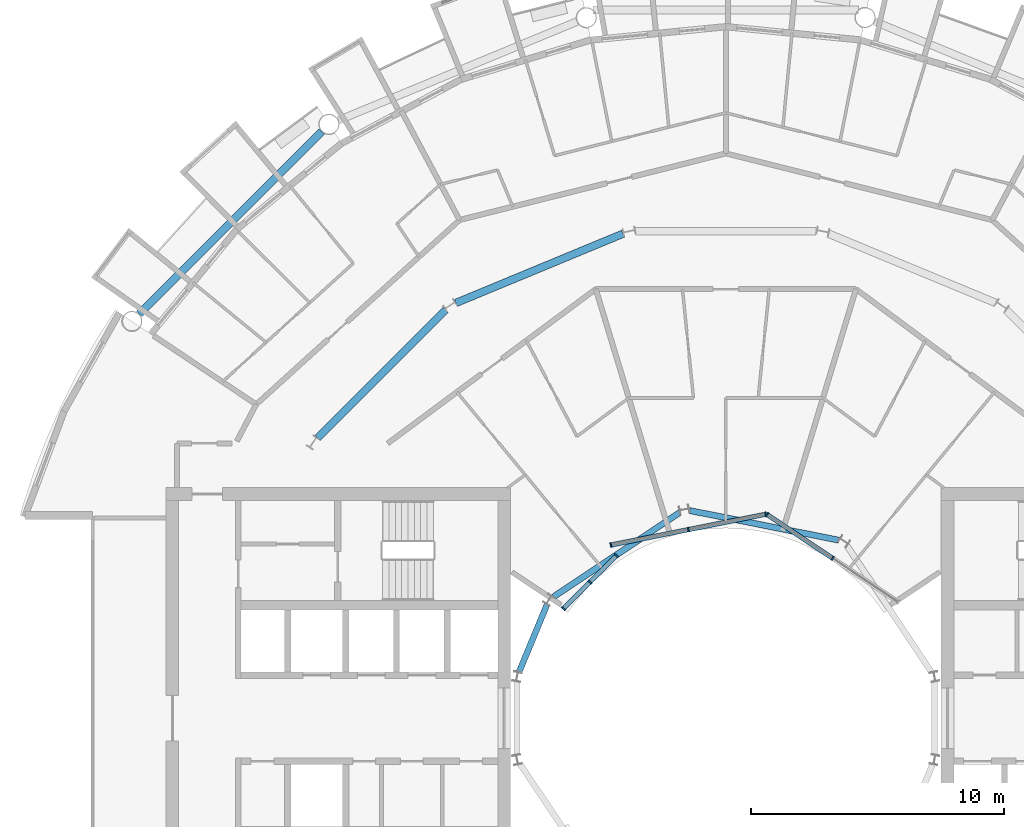
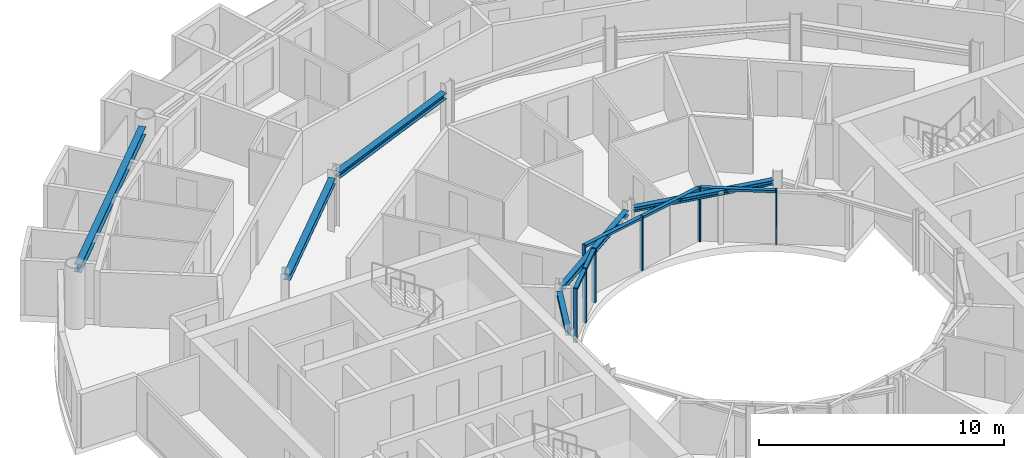
# One storey, part 8 of 26: 13 members, 6 beams, 3 elements without a shape of their own.
"""IFC4 building model written with IfcOpenShell, lengths in metres."""

from ifc_helpers import new_model, si_unit, direction, frame, origin, origin_2d, place, context, subcontext, project, spatial, rectangle, i_section, extrude, material, layer, layer_set, material_profile, profile_set, type_object, element, aggregate, save


model = new_model("IFC4")

# Units and contexts
model_context = context("Model", 3, precision=1e-05, world=origin(), true_north=direction((0.0, 1.0)))
body_context = subcontext(model_context, "Body", "Model", "MODEL_VIEW")
ifc_project = project(units=[si_unit("LENGTHUNIT", "METRE"), si_unit("AREAUNIT", "SQUARE_METRE"), si_unit("VOLUMEUNIT", "CUBIC_METRE"), si_unit("PLANEANGLEUNIT", "RADIAN"), si_unit("MASSUNIT", "GRAM", prefix="KILO")], contexts=[model_context])

# Site, building, storey
site_placement = place(None, origin())
site = spatial("IfcSite", under=ifc_project, at=site_placement, CompositionType="ELEMENT")
building_placement = place(site_placement, origin())
building = spatial("IfcBuilding", under=site, at=building_placement, Name="Maasbend Ring Residences", CompositionType="ELEMENT")
storey_placement = place(building_placement, frame((0.0, 0.0, 154.35009765625)))
storey = spatial("IfcBuildingStorey", under=building, at=storey_placement, Name="L44", CompositionType="ELEMENT", Elevation=154.35009765625)

# Curtain wall, members
ifc_material_1 = material(Name="Aluminium and clear glass", Category="aluminium")
ifc_layer = layer(ifc_material_1, 0.179931640625)
ifc_layer_set = layer_set([ifc_layer], Name="CW-W")
curtain_wall_type = type_object("IfcCurtainWallType", Name="CW-W", PredefinedType="NOTDEFINED", material=ifc_layer_set)
curtain_wall_1_placement = place(storey_placement, origin())
curtain_wall_1 = element("IfcCurtainWall", 1, at=curtain_wall_1_placement, inside=storey, type_object=curtain_wall_type, Name="Well curtain wall N1", PredefinedType="NOTDEFINED")
ifc_material_2 = material(Name="Aluminium 6063-T6", Category="aluminium")
ifc_material_profile_1 = material_profile(ifc_material_2, rectangle(XDim=0.179931640625, YDim=0.06005859375, at=origin_2d()), Name="AL 180x60")
ifc_profile_set_1 = profile_set([ifc_material_profile_1], Name="Aluminium 6063-T6")
member_type_1 = type_object("IfcMemberType", Name="CWM-W", PredefinedType="MULLION", material=ifc_profile_set_1)
member_1_placement = place(storey_placement, frame((4.216796875, 6.310791015625, 0.0), z_axis=(0.0, 0.0, 1.0), x_axis=(-0.55557023302, -0.831469612303, 0.0)))
member_1 = element("IfcMember", 2, at=member_1_placement, type_object=member_type_1, Name="Mullion well face", PredefinedType="MULLION", context=body_context, shape_type="SweptSolid", body=[
    extrude(rectangle(XDim=0.179931640625, YDim=0.06005859375, at=origin_2d()), origin(), (0.0, 0.0, 1.0), 2.699951171875),
])
member_2_placement = place(storey_placement, frame((1.627685546875, 8.040771484375, 0.0), z_axis=(0.0, 0.0, 1.0), x_axis=(-0.55557023302, -0.831469612303, 0.0)))
member_2 = element("IfcMember", 3, at=member_2_placement, type_object=member_type_1, Name="Mullion well face", PredefinedType="MULLION", context=body_context, shape_type="SweptSolid", body=[
    extrude(rectangle(XDim=0.179931640625, YDim=0.06005859375, at=origin_2d()), origin(), (0.0, 0.0, 1.0), 2.699951171875),
])

curtain_wall_2_placement = place(storey_placement, origin())
curtain_wall_2 = element("IfcCurtainWall", 4, at=curtain_wall_2_placement, inside=storey, type_object=curtain_wall_type, Name="Well curtain wall N2", PredefinedType="NOTDEFINED")
member_3_placement = place(storey_placement, frame((1.5732421875, 8.0517578125, 0.0), z_axis=(0.0, 0.0, 1.0), x_axis=(0.195090322016, -0.980785280403, 0.0)))
member_3 = element("IfcMember", 5, at=member_3_placement, type_object=member_type_1, Name="Mullion well face", PredefinedType="MULLION", context=body_context, shape_type="SweptSolid", body=[
    extrude(rectangle(XDim=0.179931640625, YDim=0.06005859375, at=origin_2d()), origin(), (0.0, 0.0, 1.0), 2.699951171875),
])
member_4_placement = place(storey_placement, frame((-1.480712890625, 7.444091796875, 0.0), z_axis=(0.0, 0.0, 1.0), x_axis=(0.195090322016, -0.980785280403, 0.0)))
member_4 = element("IfcMember", 6, at=member_4_placement, type_object=member_type_1, Name="Mullion well face", PredefinedType="MULLION", context=body_context, shape_type="SweptSolid", body=[
    extrude(rectangle(XDim=0.179931640625, YDim=0.06005859375, at=origin_2d()), origin(), (0.0, 0.0, 1.0), 2.699951171875),
])
member_5_placement = place(storey_placement, frame((-4.53466796875, 6.836669921875, 0.0), z_axis=(0.0, 0.0, 1.0), x_axis=(0.195090322016, -0.980785280403, 0.0)))
member_5 = element("IfcMember", 7, at=member_5_placement, type_object=member_type_1, Name="Mullion well face", PredefinedType="MULLION", context=body_context, shape_type="SweptSolid", body=[
    extrude(rectangle(XDim=0.179931640625, YDim=0.06005859375, at=origin_2d()), origin(), (0.0, 0.0, 1.0), 2.699951171875),
])

curtain_wall_3_placement = place(storey_placement, origin())
curtain_wall_3 = element("IfcCurtainWall", 8, at=curtain_wall_3_placement, inside=storey, type_object=curtain_wall_type, Name="Well curtain wall N3", PredefinedType="NOTDEFINED")
member_6_placement = place(storey_placement, frame((-4.320556640625, 6.413330078125, 0.0), z_axis=(0.0, 0.0, 1.0), x_axis=(0.707106781187, -0.707106781187, 0.0)))
member_6 = element("IfcMember", 9, at=member_6_placement, type_object=member_type_1, Name="Mullion well face", PredefinedType="MULLION", context=body_context, shape_type="SweptSolid", body=[
    extrude(rectangle(XDim=0.179931640625, YDim=0.06005859375, at=origin_2d()), origin(), (0.0, 0.0, 1.0), 2.699951171875),
])
member_7_placement = place(storey_placement, frame((-5.366943359375, 5.366943359375, 0.0), z_axis=(0.0, 0.0, 1.0), x_axis=(0.707106781187, -0.707106781187, 0.0)))
member_7 = element("IfcMember", 10, at=member_7_placement, type_object=member_type_1, Name="Mullion well face", PredefinedType="MULLION", context=body_context, shape_type="SweptSolid", body=[
    extrude(rectangle(XDim=0.179931640625, YDim=0.06005859375, at=origin_2d()), origin(), (0.0, 0.0, 1.0), 2.699951171875),
])
member_8_placement = place(storey_placement, frame((-6.413330078125, 4.320556640625, 0.0), z_axis=(0.0, 0.0, 1.0), x_axis=(0.707106781187, -0.707106781187, 0.0)))
member_8 = element("IfcMember", 11, at=member_8_placement, type_object=member_type_1, Name="Mullion well face", PredefinedType="MULLION", context=body_context, shape_type="SweptSolid", body=[
    extrude(rectangle(XDim=0.179931640625, YDim=0.06005859375, at=origin_2d()), origin(), (0.0, 0.0, 1.0), 2.699951171875),
])

# Member
ifc_material_3 = material(Name="Aluminium 6063-T6", Category="aluminium")
ifc_material_profile_2 = material_profile(ifc_material_3, rectangle(XDim=0.179931640625, YDim=0.1201171875, at=origin_2d()), Name="AL 180x120")
ifc_profile_set_2 = profile_set([ifc_material_profile_2], Name="Aluminium 6063-T6")
member_type_2 = type_object("IfcMemberType", Name="CWT-W", PredefinedType="USERDEFINED", material=ifc_profile_set_2)
member_9_placement = place(storey_placement, frame((4.19189453125, 6.32763671875, 2.639892578125), z_axis=(-0.831496422459, 0.555530106689, 0.0), x_axis=(-0.555530106689, -0.831496422459, 0.0)))
member_9 = element("IfcMember", 12, at=member_9_placement, type_object=member_type_2, Name="Transom well face", ObjectType="TRANSOM", PredefinedType="USERDEFINED", context=body_context, shape_type="SweptSolid", body=[
    extrude(rectangle(XDim=0.179931640625, YDim=0.1201171875, at=origin_2d()), origin(), (0.0, 0.0, 1.0), 3.053955078125),
])

aggregate(curtain_wall_1, [member_1, member_2, member_9])

member_10_placement = place(storey_placement, frame((1.5439453125, 8.0458984375, 2.639892578125), z_axis=(-0.980776956105, -0.195132166424, 0.0), x_axis=(0.195132166424, -0.980776956105, 0.0)))
member_10 = element("IfcMember", 13, at=member_10_placement, type_object=member_type_2, Name="Transom well face", ObjectType="TRANSOM", PredefinedType="USERDEFINED", context=body_context, shape_type="SweptSolid", body=[
    extrude(rectangle(XDim=0.179931640625, YDim=0.1201171875, at=origin_2d()), origin(), (0.0, 0.0, 1.0), 3.053955078125),
])

member_11_placement = place(storey_placement, frame((-1.51025390625, 7.438232421875, 2.639892578125), z_axis=(-0.980789210404, -0.19507056353, 0.0), x_axis=(0.19507056353, -0.980789210404, 0.0)))
member_11 = element("IfcMember", 14, at=member_11_placement, type_object=member_type_2, Name="Transom well face", ObjectType="TRANSOM", PredefinedType="USERDEFINED", context=body_context, shape_type="SweptSolid", body=[
    extrude(rectangle(XDim=0.179931640625, YDim=0.1201171875, at=origin_2d()), origin(), (0.0, 0.0, 1.0), 3.0537109375),
])

aggregate(curtain_wall_2, [member_3, member_4, member_5, member_10, member_11])

member_12_placement = place(storey_placement, frame((-4.341796875, 6.39208984375, 2.639892578125), z_axis=(-0.707106781187, -0.707106781187, 0.0), x_axis=(0.707106781187, -0.707106781187, 0.0)))
member_12 = element("IfcMember", 15, at=member_12_placement, type_object=member_type_2, Name="Transom well face", ObjectType="TRANSOM", PredefinedType="USERDEFINED", context=body_context, shape_type="SweptSolid", body=[
    extrude(rectangle(XDim=0.179931640625, YDim=0.1201171875, at=origin_2d()), origin(), (0.0, 0.0, 1.0), 1.419677734375),
])

member_13_placement = place(storey_placement, frame((-5.38818359375, 5.345703125, 2.639892578125), z_axis=(-0.707106781187, -0.707106781187, 0.0), x_axis=(0.707106781187, -0.707106781187, 0.0)))
member_13 = element("IfcMember", 16, at=member_13_placement, type_object=member_type_2, Name="Transom well face", ObjectType="TRANSOM", PredefinedType="USERDEFINED", context=body_context, shape_type="SweptSolid", body=[
    extrude(rectangle(XDim=0.179931640625, YDim=0.1201171875, at=origin_2d()), origin(), (0.0, 0.0, 1.0), 1.419677734375),
])

aggregate(curtain_wall_3, [member_6, member_7, member_8, member_12, member_13])

# Beams
ifc_material_4 = material(Name="Steel S355J2", Category="steel")
ifc_material_profile_3 = material_profile(ifc_material_4, i_section(OverallWidth=0.300048828125, OverallDepth=0.2900390625, WebThickness=0.008544921875, FlangeThickness=0.013916015625, FilletRadius=0.027099609375, at=origin_2d()), Name="HEA 300")
ifc_profile_set_3 = profile_set([ifc_material_profile_3], Name="Steel S355J2")
beam_type_1 = type_object("IfcBeamType", Name="Corridor ring beam HEA 300", PredefinedType="BEAM", material=ifc_profile_set_3)
for number, where, z_axis, x_axis, name in (
    (17, (-4.059326171875, 19.1259765625, 2.554931640625), (-0.923871339849, -0.382703210602, 0.0), (0.382703210602, -0.923871339849, 0.0), "Corridor ring beam"),
    (18, (-11.0693359375, 16.11669921875, 2.554931640625), (-0.707106781187, -0.707106781187, 0.0), (0.707106781187, -0.707106781187, 0.0), "Corridor ring beam"),
):
    element("IfcBeam", number, at=place(storey_placement, frame(where, z_axis=z_axis, x_axis=x_axis)), inside=storey, type_object=beam_type_1, Name=name, PredefinedType="BEAM", context=body_context, shape_type="SweptSolid", body=[
        extrude(i_section(OverallWidth=0.300048828125, OverallDepth=0.2900390625, WebThickness=0.008544921875, FlangeThickness=0.013916015625, FilletRadius=0.027099609375, at=origin_2d()), origin(), (0.0, 0.0, 1.0), 7.137939453125),
    ])
ifc_material_5 = material(Name="Steel S355J2", Category="steel")
ifc_material_profile_4 = material_profile(ifc_material_5, i_section(OverallWidth=0.300048828125, OverallDepth=0.39990234375, WebThickness=0.013427734375, FlangeThickness=0.02392578125, FilletRadius=0.027099609375, at=origin_2d()), Name="HEB 400")
ifc_profile_set_4 = profile_set([ifc_material_profile_4], Name="Steel S355J2")
beam_type_2 = type_object("IfcBeamType", Name="Spandrel ring beam HEB 400", PredefinedType="SPANDREL", material=ifc_profile_set_4)
beam_1_placement = place(storey_placement, frame((-15.95458984375, 23.159912109375, 2.5), z_axis=(-0.707106781187, -0.707106781187, 0.0), x_axis=(0.707106781187, -0.707106781187, 0.0)))
element("IfcBeam", 19, at=beam_1_placement, inside=storey, type_object=beam_type_2, Name="Spandrel ring beam", PredefinedType="SPANDREL", context=body_context, shape_type="SweptSolid", body=[
    extrude(i_section(OverallWidth=0.300048828125, OverallDepth=0.39990234375, WebThickness=0.013427734375, FlangeThickness=0.02392578125, FilletRadius=0.027099609375, at=origin_2d()), origin(), (0.0, 0.0, 1.0), 10.18994140625),
])
ifc_material_6 = material(Name="Steel S355J2", Category="steel")
ifc_material_profile_5 = material_profile(ifc_material_6, i_section(OverallWidth=0.239990234375, OverallDepth=0.22998046875, WebThickness=0.007568359375, FlangeThickness=0.011962890625, FilletRadius=0.02099609375, at=origin_2d()), Name="HEA 240")
ifc_profile_set_5 = profile_set([ifc_material_profile_5], Name="Steel S355J2")
beam_type_3 = type_object("IfcBeamType", Name="Well edge beam HEA 240", PredefinedType="BEAM", material=ifc_profile_set_5)
beam_2_placement = place(storey_placement, frame((4.459716796875, 7.025390625, 2.5849609375), z_axis=(-0.980778695042, 0.195123425945, 0.0), x_axis=(-0.195123425945, -0.980778695042, 0.0)))
element("IfcBeam", 20, at=beam_2_placement, inside=storey, type_object=beam_type_3, Name="Well edge beam", PredefinedType="BEAM", context=body_context, shape_type="SweptSolid", body=[
    extrude(i_section(OverallWidth=0.239990234375, OverallDepth=0.22998046875, WebThickness=0.007568359375, FlangeThickness=0.011962890625, FilletRadius=0.02099609375, at=origin_2d()), origin(), (0.0, 0.0, 1.0), 6.007080078125),
])
beam_3_placement = place(storey_placement, frame((-1.814208984375, 8.121337890625, 2.5849609375), z_axis=(-0.831480850227, -0.555553413909, 0.0), x_axis=(0.555553413909, -0.831480850227, 0.0)))
element("IfcBeam", 21, at=beam_3_placement, inside=storey, type_object=beam_type_3, Name="Well edge beam", PredefinedType="BEAM", context=body_context, shape_type="SweptSolid", body=[
    extrude(i_section(OverallWidth=0.239990234375, OverallDepth=0.22998046875, WebThickness=0.007568359375, FlangeThickness=0.011962890625, FilletRadius=0.02099609375, at=origin_2d()), origin(), (0.0, 0.0, 1.0), 6.0068359375),
])
beam_4_placement = place(storey_placement, frame((-7.060302734375, 4.483154296875, 2.5849609375), z_axis=(-0.382748596828, -0.923852537814, 0.0), x_axis=(0.923852537814, -0.382748596828, 0.0)))
element("IfcBeam", 22, at=beam_4_placement, inside=storey, type_object=beam_type_3, Name="Well edge beam", PredefinedType="BEAM", context=body_context, shape_type="SweptSolid", body=[
    extrude(i_section(OverallWidth=0.239990234375, OverallDepth=0.22998046875, WebThickness=0.007568359375, FlangeThickness=0.011962890625, FilletRadius=0.02099609375, at=origin_2d()), origin(), (0.0, 0.0, 1.0), 2.8798828125),
])

save(model, "model.ifc")
